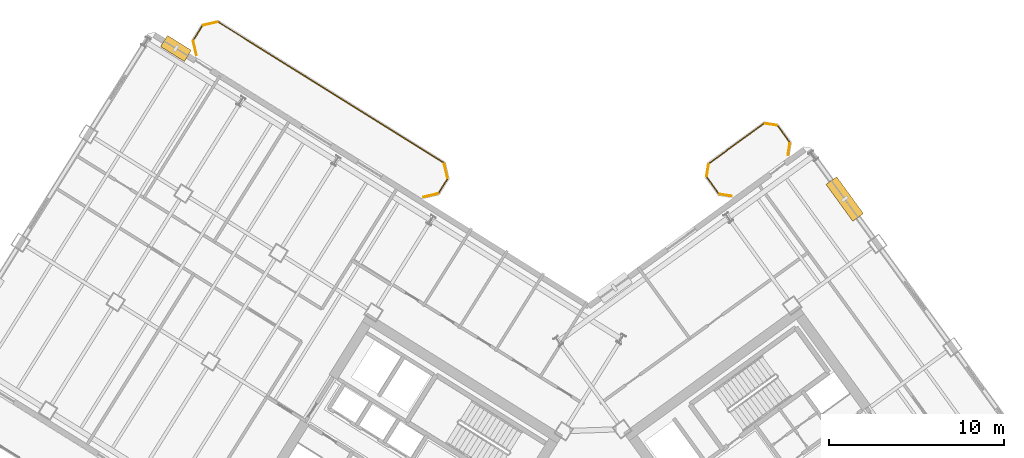
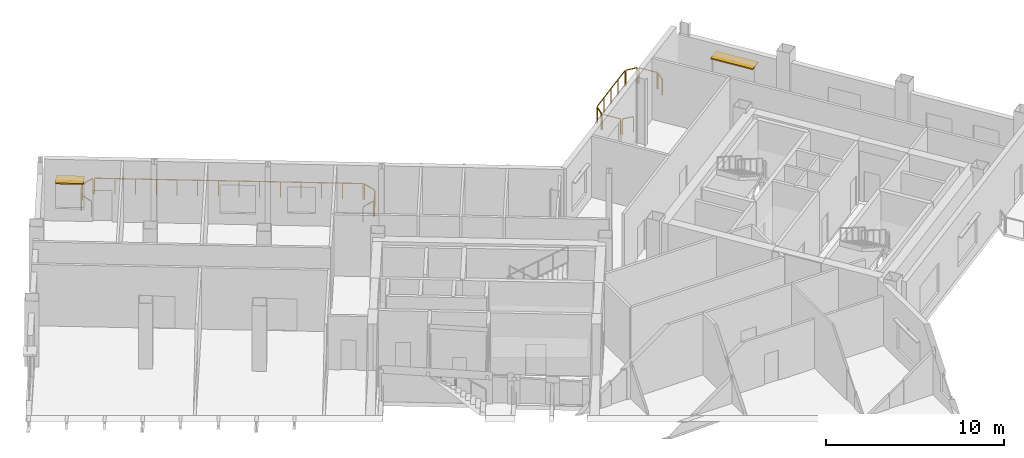
# One storey, part 20 of 20: 14 railings, 2 shading devices.
"""IFC4 building model written with IfcOpenShell, lengths in metres."""

import ifcopenshell
import ifcopenshell.guid

model = None  # the IFC model being written
_history = None  # IfcOwnerHistory: only IFC2X3 demands one
_inside = {}  # id of a spatial element -> (the spatial element, [elements in it])
_under = {}  # id of a project, library or spatial element -> (it, [spatial elements below it])
_declared = {}  # id of a project -> (the project, [libraries it declares])
_typed = {}  # id of a type object -> (the type object, [elements of that type])
_made_of = {}  # id of a material, layer set ... -> (it, [elements and type objects made of it])


def new_model(schema):
    """Start an empty IFC model of exactly this schema.

    Asked for "IFC4X3", IfcOpenShell would pick the latest addendum, in which some entities
    have other attributes; the version numbers below select the first issue.
    IFC2X3 requires an IfcOwnerHistory on every rooted entity: one is made here for all.
    """
    global model, _history
    if schema == "IFC4X3":
        model = ifcopenshell.file(schema_version=(4, 3, 0, 0))
    else:
        model = ifcopenshell.file(schema=schema)
    _inside.clear()
    _under.clear()
    _declared.clear()
    _typed.clear()
    _made_of.clear()
    _history = None
    if model.schema == "IFC2X3":
        org = make("IfcOrganization", Name="unknown")
        user = make(
            "IfcPersonAndOrganization",
            ThePerson=make("IfcPerson", FamilyName="unknown"),
            TheOrganization=org,
        )
        app = make(
            "IfcApplication",
            ApplicationDeveloper=org,
            Version="unknown",
            ApplicationFullName="unknown",
            ApplicationIdentifier="unknown",
        )
        _history = make(
            "IfcOwnerHistory",
            OwningUser=user,
            OwningApplication=app,
            ChangeAction="ADDED",
            CreationDate=0,
        )
    return model


def make(cls, **values):
    """One entity of the class cls with the attributes given. An attribute that is None is left unset."""
    return model.create_entity(
        cls, **{name: value for name, value in values.items() if value is not None}
    )


def rooted(cls, **values):
    """An entity with a GlobalId (a new one), such as an element, a storey or a relation."""
    return make(cls, GlobalId=ifcopenshell.guid.new(), OwnerHistory=_history, **values)


def si_unit(unit_type, name, prefix=None):
    """IfcSIUnit, for example si_unit("LENGTHUNIT", "METRE", prefix="MILLI")."""
    return make("IfcSIUnit", UnitType=unit_type, Prefix=prefix, Name=name)


def assignment(units):
    """IfcUnitAssignment: the units of a project."""
    return None if units is None else make("IfcUnitAssignment", Units=units)


def point(xyz):
    """IfcCartesianPoint."""
    return None if xyz is None else make("IfcCartesianPoint", Coordinates=xyz)


def direction(xyz):
    """IfcDirection."""
    return None if xyz is None else make("IfcDirection", DirectionRatios=xyz)


def frame(location, z_axis=None, x_axis=None):
    """IfcAxis2Placement3D, a coordinate frame: its origin and axes. An axis left out is left unset."""
    return make(
        "IfcAxis2Placement3D",
        Location=point(location),
        Axis=direction(z_axis),
        RefDirection=direction(x_axis),
    )


def frame_2d(location, x_axis=None):
    """IfcAxis2Placement2D, a coordinate frame in the plane: its origin and x axis."""
    return make(
        "IfcAxis2Placement2D", Location=point(location), RefDirection=direction(x_axis)
    )


def origin():
    """The frame at (0, 0, 0) with its axes left unset."""
    return frame((0.0, 0.0, 0.0))


def origin_2d():
    """The frame at (0, 0) in the plane with its x axis left unset."""
    return frame_2d((0.0, 0.0))


def place(relative_to, where):
    """IfcLocalPlacement: puts the frame where relative to a parent placement (None: the world)."""
    return make(
        "IfcLocalPlacement", PlacementRelTo=relative_to, RelativePlacement=where
    )


def context(
    kind, dimensions, precision=None, world=None, true_north=None, identifier=None
):
    """IfcGeometricRepresentationContext, for example the 3D "Model" context."""
    return make(
        "IfcGeometricRepresentationContext",
        ContextIdentifier=identifier,
        ContextType=kind,
        CoordinateSpaceDimension=dimensions,
        Precision=precision,
        WorldCoordinateSystem=world,
        TrueNorth=true_north,
    )


def subcontext(parent, identifier, kind, view, scale=None):
    """IfcGeometricRepresentationSubContext, for example "Body" below "Model"."""
    return make(
        "IfcGeometricRepresentationSubContext",
        ContextIdentifier=identifier,
        ContextType=kind,
        ParentContext=parent,
        TargetScale=scale,
        TargetView=view,
    )


def project(units=None, contexts=None):
    """IfcProject with its units and contexts."""
    return rooted(
        "IfcProject",
        Name="project",
        RepresentationContexts=contexts,
        UnitsInContext=assignment(units),
    )


def spatial(cls, under=None, at=None, **own):
    """A site, building, storey or space (cls), placed at a placement, below another one or the project."""
    s = rooted(cls, ObjectPlacement=at, **own)
    if under is not None:
        _under.setdefault(under.id(), (under, []))[1].append(s)
    return s


def profile(cls, at=None, kind="AREA", **sizes):
    """A parametric profile (cls). Its sizes go by their IFC names, for example OverallWidth=200.0."""
    return make(cls, ProfileType=kind, Position=at, **sizes)


def rectangle(**sizes):
    """IfcRectangleProfileDef."""
    return profile("IfcRectangleProfileDef", **sizes)


def extrude(swept, where, along, depth):
    """IfcExtrudedAreaSolid: the profile swept, set in the frame where, extruded along a direction by depth."""
    return make(
        "IfcExtrudedAreaSolid",
        SweptArea=swept,
        Position=where,
        ExtrudedDirection=direction(along),
        Depth=depth,
    )


def shape(context_of_items, identifier, shape_type, items):
    """IfcShapeRepresentation: the items that make up one representation, for example the "Body"."""
    return make(
        "IfcShapeRepresentation",
        ContextOfItems=context_of_items,
        RepresentationIdentifier=identifier,
        RepresentationType=shape_type,
        Items=items,
    )


def source(mapping_origin, context_of_items, identifier, shape_type, items):
    """IfcRepresentationMap: a shape defined once, which mapped items show again and again."""
    return make(
        "IfcRepresentationMap",
        MappingOrigin=mapping_origin,
        MappedRepresentation=shape(context_of_items, identifier, shape_type, items),
    )


def transform(
    local_origin,
    x_axis=None,
    y_axis=None,
    z_axis=None,
    scale=None,
    scale2=None,
    scale3=None,
    uniform=True,
):
    """IfcCartesianTransformationOperator3D, or its non-uniform kind. x_axis, y_axis, z_axis: its Axis1, 2, 3."""
    if uniform:
        return make(
            "IfcCartesianTransformationOperator3D",
            Axis1=direction(x_axis),
            Axis2=direction(y_axis),
            LocalOrigin=point(local_origin),
            Scale=scale,
            Axis3=direction(z_axis),
        )
    return make(
        "IfcCartesianTransformationOperator3DnonUniform",
        Axis1=direction(x_axis),
        Axis2=direction(y_axis),
        LocalOrigin=point(local_origin),
        Scale=scale,
        Axis3=direction(z_axis),
        Scale2=scale2,
        Scale3=scale3,
    )


def mapped(mapping_source, mapping_target):
    """IfcMappedItem: shows the shape of a source again, moved by a transform."""
    return make(
        "IfcMappedItem", MappingSource=mapping_source, MappingTarget=mapping_target
    )


def material(Name=None, Category=None):
    """IfcMaterial."""
    return make("IfcMaterial", Name=Name, Category=Category)


def layer(
    of_material, thickness, ventilated=None, Name=None, Category=None, Priority=None
):
    """IfcMaterialLayer: one layer of a wall or slab, of a material (None: an air gap)."""
    return make(
        "IfcMaterialLayer",
        Material=of_material,
        LayerThickness=thickness,
        IsVentilated=ventilated,
        Name=Name,
        Category=Category,
        Priority=Priority,
    )


def layer_set(layers, Name=None):
    """IfcMaterialLayerSet."""
    return make("IfcMaterialLayerSet", MaterialLayers=layers, LayerSetName=Name)


def made_of(thing, what):
    """Note that an element or type object is made of a material, layer set ...; save() writes the relation."""
    if what is not None:
        _made_of.setdefault(what.id(), (what, []))[1].append(thing)
    return thing


def type_object(cls, material=None, **own):
    """A type object (cls), such as IfcWallType, which elements share."""
    return made_of(rooted(cls, **own), material)


def element(
    cls,
    number,
    at=None,
    inside=None,
    cuts=None,
    type_object=None,
    material=None,
    context=None,
    identifier="Body",
    shape_type=None,
    held_by="IfcProductDefinitionShape",
    body=None,
    shapes=None,
    **own,
):
    """One element of the class cls, such as IfcWall. Its Tag is "e" and its number.

    at: its placement. inside: the storey or other place that contains it. cuts: it is an
    opening in that element (IfcRelVoidsElement). A single representation is given by context,
    identifier, shape_type and body (its items); several are given by shapes. held_by: the class
    of the entity that holds the representations. save() writes the other relations.
    """
    e = rooted(cls, Tag="e%d" % number, ObjectPlacement=at, **own)
    if body is not None:
        shapes = [shape(context, identifier, shape_type, body)]
    if shapes is not None:
        e.Representation = make(held_by, Representations=shapes)
    if inside is not None:
        _inside.setdefault(inside.id(), (inside, []))[1].append(e)
    if cuts is not None:
        rooted(
            "IfcRelVoidsElement", RelatingBuildingElement=cuts, RelatedOpeningElement=e
        )
    if type_object is not None:
        _typed.setdefault(type_object.id(), (type_object, []))[1].append(e)
    return made_of(e, material)


def aggregate(whole, parts):
    """IfcRelAggregates: a whole, such as a stair, and the parts it consists of."""
    return rooted("IfcRelAggregates", RelatingObject=whole, RelatedObjects=parts)


def save(model, path):
    """Write the relations noted so far, then the file.

    IfcRelAggregates (storeys below a building ...), IfcRelContainedInSpatialStructure (elements
    in a storey), IfcRelDefinesByType, IfcRelAssociatesMaterial and IfcRelDeclares: one each for
    every whole, place, type object, material and project.
    """
    for whole, parts in _under.values():
        aggregate(whole, parts)
    for where, things in _inside.values():
        rooted(
            "IfcRelContainedInSpatialStructure",
            RelatedElements=things,
            RelatingStructure=where,
        )
    for kind, things in _typed.values():
        rooted("IfcRelDefinesByType", RelatedObjects=things, RelatingType=kind)
    for what, things in _made_of.values():
        rooted("IfcRelAssociatesMaterial", RelatedObjects=things, RelatingMaterial=what)
    for by, libraries in _declared.values():
        rooted("IfcRelDeclares", RelatingContext=by, RelatedDefinitions=libraries)
    model.write(path)


model = new_model("IFC4")

# Units and contexts
model_context = context("Model", 3, precision=1e-05, world=origin(), true_north=direction((0.0, 1.0)))
body_context = subcontext(model_context, "Body", "Model", "MODEL_VIEW")
ifc_project = project(units=[si_unit("LENGTHUNIT", "METRE"), si_unit("AREAUNIT", "SQUARE_METRE"), si_unit("VOLUMEUNIT", "CUBIC_METRE"), si_unit("PLANEANGLEUNIT", "RADIAN"), si_unit("MASSUNIT", "GRAM", prefix="KILO")], contexts=[model_context])

# Site, building, storey
site_placement = place(None, origin())
site = spatial("IfcSite", under=ifc_project, at=site_placement, CompositionType="ELEMENT")
building_placement = place(site_placement, origin())
building = spatial("IfcBuilding", under=site, at=building_placement, Name="Tlacorven Tower", CompositionType="ELEMENT")
storey_placement = place(building_placement, frame((0.0, 0.0, 195.0)))
storey = spatial("IfcBuildingStorey", under=building, at=storey_placement, Name="L49", CompositionType="ELEMENT", Elevation=195.0)

# Railings
ifc_material_1 = material(Name="Aluminium and painted steel balustrade", Category="steel")
railing_type = type_object("IfcRailingType", Name="RL-BAL-1100", PredefinedType="BALUSTRADE", material=ifc_material_1)
shared_shape_1 = source(origin(), body_context, "Body", "SweptSolid", [
    extrude(rectangle(XDim=0.048095703125, YDim=0.048095703125, at=origin_2d()), frame((0.0, 0.0, 1.076171875), z_axis=(0.974345290916, 0.225058334816, 0.0), x_axis=(-0.225058334816, 0.974345290916, 0.0)), (0.0, 0.0, 1.0), 0.80712890625),
    extrude(rectangle(XDim=0.0419921875, YDim=0.0419921875, at=origin_2d()), origin(), (0.0, 0.0, 1.0), 1.052001953125),
    extrude(rectangle(XDim=0.0419921875, YDim=0.0419921875, at=origin_2d()), frame((0.786376953125, 0.181640625, 0.0)), (0.0, 0.0, 1.0), 1.052001953125),
])
railing_1_placement = place(storey_placement, frame((20.2138671875, 47.643798828125, 0.0)))
element("IfcRailing", 1, at=railing_1_placement, inside=storey, type_object=railing_type, Name="BAL-L49-W-IN Guard Railing 6", PredefinedType="BALUSTRADE", context=body_context, shape_type="MappedRepresentation", body=[
    mapped(shared_shape_1, transform((0.0, 0.0, 0.0), scale=1.0)),
])
shared_shape_2 = source(origin(), body_context, "Body", "SweptSolid", [
    extrude(rectangle(XDim=0.048095703125, YDim=0.048095703125, at=origin_2d()), frame((0.0, 0.0, 1.076171875), z_axis=(-0.987661653326, 0.156602868908, 0.0), x_axis=(-0.156602868908, -0.987661653326, 0.0)), (0.0, 0.0, 1.0), 0.665771484375),
    extrude(rectangle(XDim=0.0419921875, YDim=0.0419921875, at=origin_2d()), origin(), (0.0, 0.0, 1.0), 1.052001953125),
    extrude(rectangle(XDim=0.0419921875, YDim=0.0419921875, at=origin_2d()), frame((-0.657470703125, 0.104248046875, 0.0)), (0.0, 0.0, 1.0), 1.052001953125),
])
railing_2_placement = place(storey_placement, frame((50.359130859375, 37.891845703125, 0.0)))
element("IfcRailing", 2, at=railing_2_placement, inside=storey, type_object=railing_type, Name="BAL-L49-E-IN Guard Railing 1", PredefinedType="BALUSTRADE", context=body_context, shape_type="MappedRepresentation", body=[
    mapped(shared_shape_2, transform((0.0, 0.0, 0.0), scale=1.0)),
])
shared_shape_3 = source(origin(), body_context, "Body", "SweptSolid", [
    extrude(rectangle(XDim=0.048095703125, YDim=0.048095703125, at=origin_2d()), frame((0.0, 0.0, 1.076171875), z_axis=(0.156602868908, 0.987661653326, 0.0), x_axis=(-0.987661653326, 0.156602868908, 0.0)), (0.0, 0.0, 1.0), 0.665771484375),
    extrude(rectangle(XDim=0.0419921875, YDim=0.0419921875, at=origin_2d()), origin(), (0.0, 0.0, 1.0), 1.052001953125),
    extrude(rectangle(XDim=0.0419921875, YDim=0.0419921875, at=origin_2d()), frame((0.104248046875, 0.657470703125, 0.0)), (0.0, 0.0, 1.0), 1.052001953125),
])
railing_3_placement = place(storey_placement, frame((48.947509765625, 39.033935546875, 0.0)))
element("IfcRailing", 3, at=railing_3_placement, inside=storey, type_object=railing_type, Name="BAL-L49-E-IN Guard Railing 3", PredefinedType="BALUSTRADE", context=body_context, shape_type="MappedRepresentation", body=[
    mapped(shared_shape_3, transform((0.0, 0.0, 0.0), scale=1.0)),
])
shared_shape_4 = source(origin(), body_context, "Body", "SweptSolid", [
    extrude(rectangle(XDim=0.048095703125, YDim=0.048095703125, at=origin_2d()), frame((0.0, 0.0, 1.076171875), z_axis=(-0.156245081039, -0.987718317463, 0.0), x_axis=(0.987718317463, -0.156245081039, 0.0)), (0.0, 0.0, 1.0), 0.66552734375),
    extrude(rectangle(XDim=0.0419921875, YDim=0.0419921875, at=origin_2d()), origin(), (0.0, 0.0, 1.0), 1.052001953125),
    extrude(rectangle(XDim=0.0419921875, YDim=0.0419921875, at=origin_2d()), frame((-0.10400390625, -0.657470703125, 0.0)), (0.0, 0.0, 1.0), 1.052001953125),
])
railing_4_placement = place(storey_placement, frame((53.689453125, 40.893310546875, 0.0)))
element("IfcRailing", 4, at=railing_4_placement, inside=storey, type_object=railing_type, Name="BAL-L49-E-IN Guard Railing 7", PredefinedType="BALUSTRADE", context=body_context, shape_type="MappedRepresentation", body=[
    mapped(shared_shape_4, transform((0.0, 0.0, 0.0), scale=1.0)),
])
shared_shape_5 = source(origin(), body_context, "Body", "SweptSolid", [
    extrude(rectangle(XDim=0.048095703125, YDim=0.048095703125, at=origin_2d()), frame((0.0, 0.0, 1.076171875), z_axis=(0.529998940003, 0.847998304005, 0.0), x_axis=(-0.847998304005, 0.529998940003, 0.0)), (0.0, 0.0, 1.0), 0.912109375),
    extrude(rectangle(XDim=0.0419921875, YDim=0.0419921875, at=origin_2d()), origin(), (0.0, 0.0, 1.0), 1.052001953125),
    extrude(rectangle(XDim=0.0419921875, YDim=0.0419921875, at=origin_2d()), frame((0.4833984375, 0.7734375, 0.0)), (0.0, 0.0, 1.0), 1.052001953125),
])
railing_5_placement = place(storey_placement, frame((19.6552734375, 46.816650390625, 0.0)))
element("IfcRailing", 5, at=railing_5_placement, inside=storey, type_object=railing_type, Name="BAL-L49-W-IN Guard Railing 5", PredefinedType="BALUSTRADE", context=body_context, shape_type="MappedRepresentation", body=[
    mapped(shared_shape_5, transform((0.0, 0.0, 0.0), scale=1.0)),
])
shared_shape_6 = source(origin(), body_context, "Body", "SweptSolid", [
    extrude(rectangle(XDim=0.048095703125, YDim=0.048095703125, at=origin_2d()), frame((0.0, 0.0, 1.076171875), z_axis=(0.224992020761, -0.974360606036, 0.0), x_axis=(0.974360606036, 0.224992020761, 0.0)), (0.0, 0.0, 1.0), 0.807373046875),
    extrude(rectangle(XDim=0.0419921875, YDim=0.0419921875, at=origin_2d()), origin(), (0.0, 0.0, 1.0), 1.052001953125),
    extrude(rectangle(XDim=0.0419921875, YDim=0.0419921875, at=origin_2d()), frame((0.181640625, -0.78662109375, 0.0)), (0.0, 0.0, 1.0), 1.052001953125),
])
railing_6_placement = place(storey_placement, frame((33.965087890625, 39.72412109375, 0.0)))
element("IfcRailing", 6, at=railing_6_placement, inside=storey, type_object=railing_type, Name="BAL-L49-W-IN Guard Railing 1", PredefinedType="BALUSTRADE", context=body_context, shape_type="MappedRepresentation", body=[
    mapped(shared_shape_6, transform((0.0, 0.0, 0.0), scale=1.0)),
])
shared_shape_7 = source(origin(), body_context, "Body", "SweptSolid", [
    extrude(rectangle(XDim=0.048095703125, YDim=0.048095703125, at=origin_2d()), frame((0.0, 0.0, 1.076171875), z_axis=(-0.529998940003, -0.847998304005, 0.0), x_axis=(0.847998304005, -0.529998940003, 0.0)), (0.0, 0.0, 1.0), 0.912109375),
    extrude(rectangle(XDim=0.0419921875, YDim=0.0419921875, at=origin_2d()), origin(), (0.0, 0.0, 1.0), 1.052001953125),
    extrude(rectangle(XDim=0.0419921875, YDim=0.0419921875, at=origin_2d()), frame((-0.4833984375, -0.7734375, 0.0)), (0.0, 0.0, 1.0), 1.052001953125),
])
railing_7_placement = place(storey_placement, frame((34.131591796875, 38.846435546875, 0.0)))
element("IfcRailing", 7, at=railing_7_placement, inside=storey, type_object=railing_type, Name="BAL-L49-W-IN Guard Railing 2", PredefinedType="BALUSTRADE", context=body_context, shape_type="MappedRepresentation", body=[
    mapped(shared_shape_7, transform((0.0, 0.0, 0.0), scale=1.0)),
])
shared_shape_8 = source(origin(), body_context, "Body", "SweptSolid", [
    extrude(rectangle(XDim=0.048095703125, YDim=0.048095703125, at=origin_2d()), frame((0.0, 0.0, 1.076171875), z_axis=(-0.974360606036, -0.224992020761, 0.0), x_axis=(0.224992020761, -0.974360606036, 0.0)), (0.0, 0.0, 1.0), 0.807373046875),
    extrude(rectangle(XDim=0.0419921875, YDim=0.0419921875, at=origin_2d()), origin(), (0.0, 0.0, 1.0), 1.052001953125),
    extrude(rectangle(XDim=0.0419921875, YDim=0.0419921875, at=origin_2d()), frame((-0.78662109375, -0.181640625, 0.0)), (0.0, 0.0, 1.0), 1.052001953125),
])
railing_8_placement = place(storey_placement, frame((33.572998046875, 38.019287109375, 0.0)))
element("IfcRailing", 8, at=railing_8_placement, inside=storey, type_object=railing_type, Name="BAL-L49-W-IN Guard Railing 3", PredefinedType="BALUSTRADE", context=body_context, shape_type="MappedRepresentation", body=[
    mapped(shared_shape_8, transform((0.0, 0.0, 0.0), scale=1.0)),
])
shared_shape_9 = source(origin(), body_context, "Body", "SweptSolid", [
    extrude(rectangle(XDim=0.048095703125, YDim=0.048095703125, at=origin_2d()), frame((0.0, 0.0, 1.076171875), z_axis=(-0.22470489119, 0.974426863277, 0.0), x_axis=(-0.974426863277, -0.22470489119, 0.0)), (0.0, 0.0, 1.0), 0.807373046875),
    extrude(rectangle(XDim=0.0419921875, YDim=0.0419921875, at=origin_2d()), origin(), (0.0, 0.0, 1.0), 1.052001953125),
    extrude(rectangle(XDim=0.0419921875, YDim=0.0419921875, at=origin_2d()), frame((-0.181396484375, 0.78662109375, 0.0)), (0.0, 0.0, 1.0), 1.052001953125),
])
railing_9_placement = place(storey_placement, frame((19.821533203125, 45.93896484375, 0.0)))
element("IfcRailing", 9, at=railing_9_placement, inside=storey, type_object=railing_type, Name="BAL-L49-W-IN Guard Railing 4", PredefinedType="BALUSTRADE", context=body_context, shape_type="MappedRepresentation", body=[
    mapped(shared_shape_9, transform((0.0, 0.0, 0.0), scale=1.0)),
])
shared_shape_10 = source(origin(), body_context, "Body", "SweptSolid", [
    extrude(rectangle(XDim=0.048095703125, YDim=0.048095703125, at=origin_2d()), frame((0.0, 0.0, 1.076171875), z_axis=(0.848051830527, -0.529913287944, 0.0), x_axis=(0.529913287944, 0.848051830527, 0.0)), (0.0, 0.0, 1.0), 15.1171875),
    extrude(rectangle(XDim=0.0419921875, YDim=0.0419921875, at=origin_2d()), origin(), (0.0, 0.0, 1.0), 1.052001953125),
    extrude(rectangle(XDim=0.0419921875, YDim=0.0419921875, at=origin_2d()), frame((0.986083984375, -0.6162109375, 0.0)), (0.0, 0.0, 1.0), 1.052001953125),
    extrude(rectangle(XDim=0.0419921875, YDim=0.0419921875, at=origin_2d()), frame((1.972412109375, -1.232421875, 0.0)), (0.0, 0.0, 1.0), 1.052001953125),
    extrude(rectangle(XDim=0.0419921875, YDim=0.0419921875, at=origin_2d()), frame((2.95849609375, -1.8486328125, 0.0)), (0.0, 0.0, 1.0), 1.052001953125),
    extrude(rectangle(XDim=0.0419921875, YDim=0.0419921875, at=origin_2d()), frame((3.944580078125, -2.46484375, 0.0)), (0.0, 0.0, 1.0), 1.052001953125),
    extrude(rectangle(XDim=0.0419921875, YDim=0.0419921875, at=origin_2d()), frame((4.930908203125, -3.0810546875, 0.0)), (0.0, 0.0, 1.0), 1.052001953125),
    extrude(rectangle(XDim=0.0419921875, YDim=0.0419921875, at=origin_2d()), frame((5.9169921875, -3.697265625, 0.0)), (0.0, 0.0, 1.0), 1.052001953125),
    extrude(rectangle(XDim=0.0419921875, YDim=0.0419921875, at=origin_2d()), frame((6.903076171875, -4.3134765625, 0.0)), (0.0, 0.0, 1.0), 1.052001953125),
    extrude(rectangle(XDim=0.0419921875, YDim=0.0419921875, at=origin_2d()), frame((7.88916015625, -4.9296875, 0.0)), (0.0, 0.0, 1.0), 1.052001953125),
    extrude(rectangle(XDim=0.0419921875, YDim=0.0419921875, at=origin_2d()), frame((8.87548828125, -5.5458984375, 0.0)), (0.0, 0.0, 1.0), 1.052001953125),
    extrude(rectangle(XDim=0.0419921875, YDim=0.0419921875, at=origin_2d()), frame((9.861572265625, -6.162109375, 0.0)), (0.0, 0.0, 1.0), 1.052001953125),
    extrude(rectangle(XDim=0.0419921875, YDim=0.0419921875, at=origin_2d()), frame((10.84765625, -6.7783203125, 0.0)), (0.0, 0.0, 1.0), 1.052001953125),
    extrude(rectangle(XDim=0.0419921875, YDim=0.0419921875, at=origin_2d()), frame((11.833984375, -7.39453125, 0.0)), (0.0, 0.0, 1.0), 1.052001953125),
    extrude(rectangle(XDim=0.0419921875, YDim=0.0419921875, at=origin_2d()), frame((12.820068359375, -8.0107421875, 0.0)), (0.0, 0.0, 1.0), 1.052001953125),
])
railing_10_placement = place(storey_placement, frame((21.091552734375, 47.81005859375, 0.0)))
element("IfcRailing", 10, at=railing_10_placement, inside=storey, type_object=railing_type, Name="BAL-L49-W-IN Guard Railing 7", PredefinedType="BALUSTRADE", context=body_context, shape_type="MappedRepresentation", body=[
    mapped(shared_shape_10, transform((0.0, 0.0, 0.0), scale=1.0)),
])
shared_shape_11 = source(origin(), body_context, "Body", "SweptSolid", [
    extrude(rectangle(XDim=0.048095703125, YDim=0.048095703125, at=origin_2d()), frame((0.0, 0.0, 1.076171875), z_axis=(-0.587636431696, 0.809125097957, 0.0), x_axis=(-0.809125097957, -0.587636431696, 0.0)), (0.0, 0.0, 1.0), 1.1123046875),
    extrude(rectangle(XDim=0.0419921875, YDim=0.0419921875, at=origin_2d()), origin(), (0.0, 0.0, 1.0), 1.052001953125),
    extrude(rectangle(XDim=0.0419921875, YDim=0.0419921875, at=origin_2d()), frame((-0.653564453125, 0.89990234375, 0.0)), (0.0, 0.0, 1.0), 1.052001953125),
])
railing_11_placement = place(storey_placement, frame((49.622802734375, 38.044189453125, 0.0)))
element("IfcRailing", 11, at=railing_11_placement, inside=storey, type_object=railing_type, Name="BAL-L49-E-IN Guard Railing 2", PredefinedType="BALUSTRADE", context=body_context, shape_type="MappedRepresentation", body=[
    mapped(shared_shape_11, transform((0.0, 0.0, 0.0), scale=1.0)),
])
shared_shape_12 = source(origin(), body_context, "Body", "SweptSolid", [
    extrude(rectangle(XDim=0.048095703125, YDim=0.048095703125, at=origin_2d()), frame((0.0, 0.0, 1.076171875), z_axis=(0.809018102573, 0.587783726986, 0.0), x_axis=(-0.587783726986, 0.809018102573, 0.0)), (0.0, 0.0, 1.0), 3.817138671875),
    extrude(rectangle(XDim=0.0419921875, YDim=0.0419921875, at=origin_2d()), origin(), (0.0, 0.0, 1.0), 1.052001953125),
    extrude(rectangle(XDim=0.0419921875, YDim=0.0419921875, at=origin_2d()), frame((0.77197265625, 0.56103515625, 0.0)), (0.0, 0.0, 1.0), 1.052001953125),
    extrude(rectangle(XDim=0.0419921875, YDim=0.0419921875, at=origin_2d()), frame((1.5439453125, 1.121826171875, 0.0)), (0.0, 0.0, 1.0), 1.052001953125),
    extrude(rectangle(XDim=0.0419921875, YDim=0.0419921875, at=origin_2d()), frame((2.316162109375, 1.6826171875, 0.0)), (0.0, 0.0, 1.0), 1.052001953125),
    extrude(rectangle(XDim=0.0419921875, YDim=0.0419921875, at=origin_2d()), frame((3.088134765625, 2.24365234375, 0.0)), (0.0, 0.0, 1.0), 1.052001953125),
])
railing_12_placement = place(storey_placement, frame((49.10009765625, 39.77001953125, 0.0)))
element("IfcRailing", 12, at=railing_12_placement, inside=storey, type_object=railing_type, Name="BAL-L49-E-IN Guard Railing 4", PredefinedType="BALUSTRADE", context=body_context, shape_type="MappedRepresentation", body=[
    mapped(shared_shape_12, transform((0.0, 0.0, 0.0), scale=1.0)),
])
shared_shape_13 = source(origin(), body_context, "Body", "SweptSolid", [
    extrude(rectangle(XDim=0.048095703125, YDim=0.048095703125, at=origin_2d()), frame((0.0, 0.0, 1.076171875), z_axis=(0.987661653326, -0.156602868908, 0.0), x_axis=(0.156602868908, 0.987661653326, 0.0)), (0.0, 0.0, 1.0), 0.665771484375),
    extrude(rectangle(XDim=0.0419921875, YDim=0.0419921875, at=origin_2d()), origin(), (0.0, 0.0, 1.0), 1.052001953125),
    extrude(rectangle(XDim=0.0419921875, YDim=0.0419921875, at=origin_2d()), frame((0.657470703125, -0.104248046875, 0.0)), (0.0, 0.0, 1.0), 1.052001953125),
])
railing_13_placement = place(storey_placement, frame((52.278076171875, 42.035400390625, 0.0)))
element("IfcRailing", 13, at=railing_13_placement, inside=storey, type_object=railing_type, Name="BAL-L49-E-IN Guard Railing 5", PredefinedType="BALUSTRADE", context=body_context, shape_type="MappedRepresentation", body=[
    mapped(shared_shape_13, transform((0.0, 0.0, 0.0), scale=1.0)),
])
shared_shape_14 = source(origin(), body_context, "Body", "SweptSolid", [
    extrude(rectangle(XDim=0.048095703125, YDim=0.048095703125, at=origin_2d()), frame((0.0, 0.0, 1.076171875), z_axis=(0.587780115446, -0.809020726488, 0.0), x_axis=(0.809020726488, 0.587780115446, 0.0)), (0.0, 0.0, 1.0), 1.1123046875),
    extrude(rectangle(XDim=0.0419921875, YDim=0.0419921875, at=origin_2d()), origin(), (0.0, 0.0, 1.0), 1.052001953125),
    extrude(rectangle(XDim=0.0419921875, YDim=0.0419921875, at=origin_2d()), frame((0.65380859375, -0.89990234375, 0.0)), (0.0, 0.0, 1.0), 1.052001953125),
])
railing_14_placement = place(storey_placement, frame((53.01416015625, 41.883056640625, 0.0)))
element("IfcRailing", 14, at=railing_14_placement, inside=storey, type_object=railing_type, Name="BAL-L49-E-IN Guard Railing 6", PredefinedType="BALUSTRADE", context=body_context, shape_type="MappedRepresentation", body=[
    mapped(shared_shape_14, transform((0.0, 0.0, 0.0), scale=1.0)),
])

# Shading devices
ifc_material_2 = material(Name="Anodised bronze aluminium sunshade", Category="aluminium")
ifc_layer = layer(ifc_material_2, 0.080078125)
ifc_layer_set = layer_set([ifc_layer], Name="Anodised bronze aluminium sunshade")
shading_device_type = type_object("IfcShadingDeviceType", Name="SH-SUN-BRZ", PredefinedType="AWNING", material=ifc_layer_set)
shared_shape_15 = source(origin(), body_context, "Body", "SweptSolid", [
    extrude(rectangle(XDim=2.60009765625, YDim=0.75, at=origin_2d()), origin(), (0.0, 0.0, 1.0), 0.080078125),
])
shading_device_1_placement = place(storey_placement, frame((56.8271484375, 37.7236328125, 2.719970703125), z_axis=(0.0, 0.0, 1.0), x_axis=(0.587785363163, -0.809016913823, 0.0)))
element("IfcShadingDevice", 15, at=shading_device_1_placement, inside=storey, type_object=shading_device_type, Name="L49 Solar Brise-Soleil Sunshade L49-05.1", PredefinedType="AWNING", context=body_context, shape_type="MappedRepresentation", body=[
    mapped(shared_shape_15, transform((0.0, 0.0, 0.0), scale=1.0)),
])
shared_shape_16 = source(origin(), body_context, "Body", "SweptSolid", [
    extrude(rectangle(XDim=1.60009765625, YDim=0.75, at=origin_2d()), origin(), (0.0, 0.0, 1.0), 0.080078125),
])
shading_device_2_placement = place(storey_placement, frame((18.645751953125, 46.319580078125, 2.669921875), z_axis=(0.0, 0.0, 1.0), x_axis=(0.848048220257, -0.52991906563, 0.0)))
element("IfcShadingDevice", 16, at=shading_device_2_placement, inside=storey, type_object=shading_device_type, Name="L49 Solar Brise-Soleil Sunshade L49-03.1", PredefinedType="AWNING", context=body_context, shape_type="MappedRepresentation", body=[
    mapped(shared_shape_16, transform((0.0, 0.0, 0.0), scale=1.0)),
])

save(model, "model.ifc")
